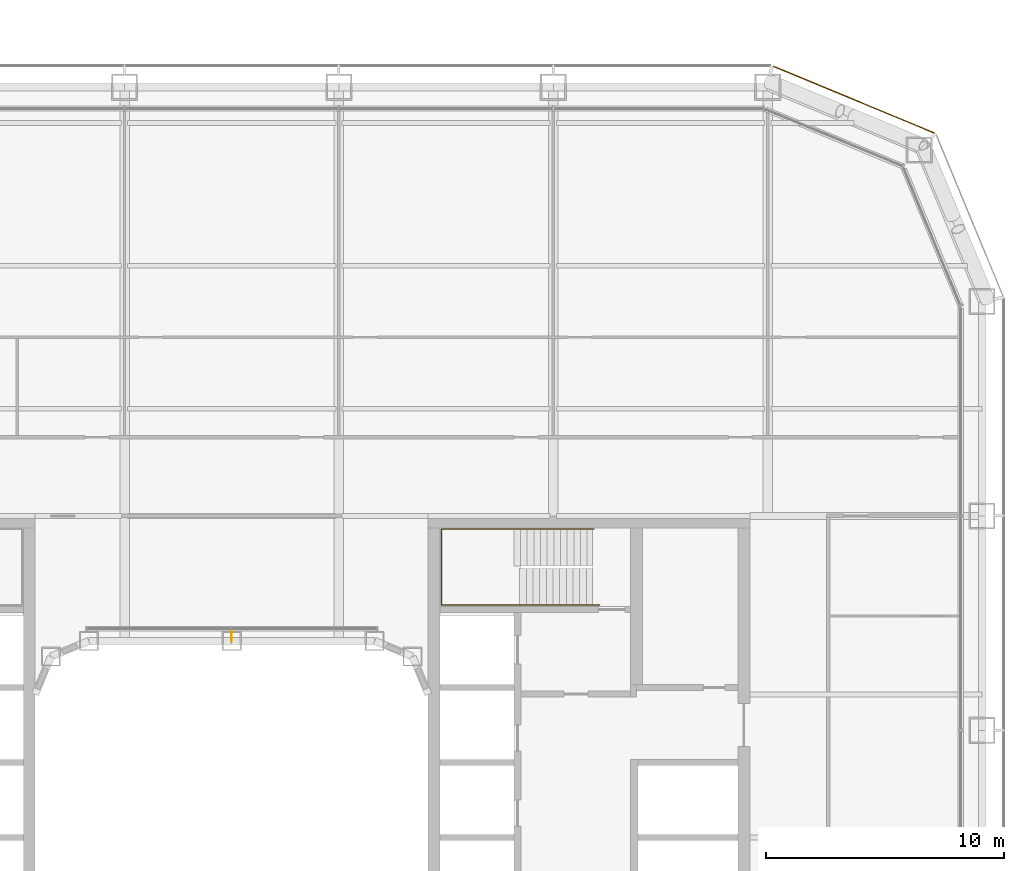
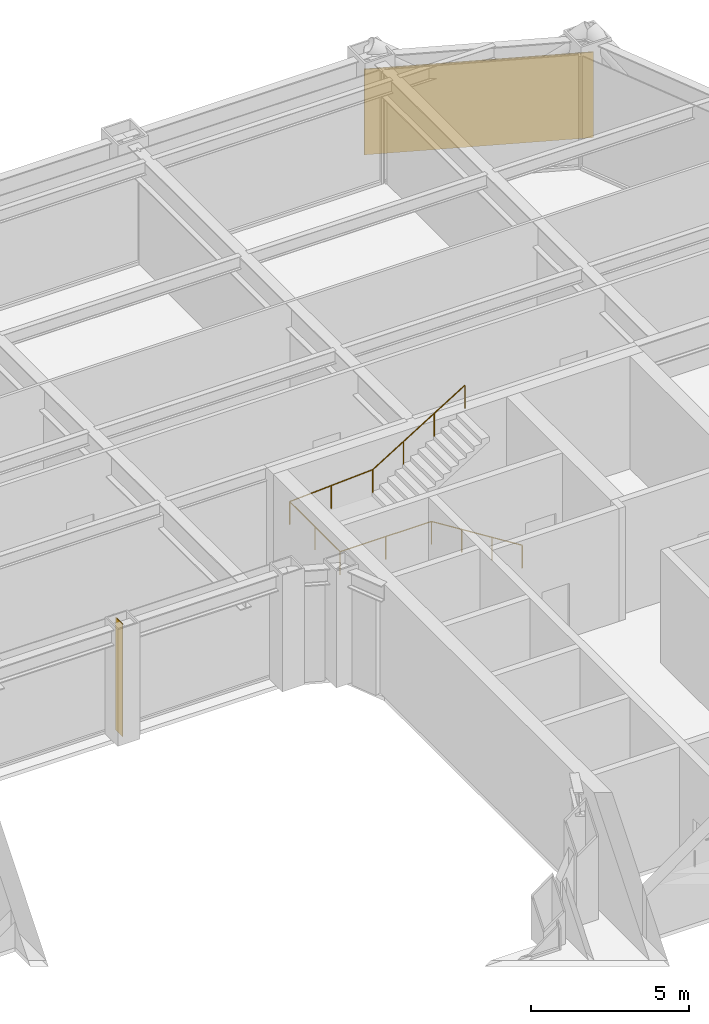
# One storey, part 27 of 29: 1 covering, 1 railing, 1 shading device.
"""IFC4 building model written with IfcOpenShell, lengths in metres."""

import ifcopenshell
import ifcopenshell.guid

model = None  # the IFC model being written
_history = None  # IfcOwnerHistory: only IFC2X3 demands one
_inside = {}  # id of a spatial element -> (the spatial element, [elements in it])
_under = {}  # id of a project, library or spatial element -> (it, [spatial elements below it])
_declared = {}  # id of a project -> (the project, [libraries it declares])
_typed = {}  # id of a type object -> (the type object, [elements of that type])
_made_of = {}  # id of a material, layer set ... -> (it, [elements and type objects made of it])


def new_model(schema):
    """Start an empty IFC model of exactly this schema.

    Asked for "IFC4X3", IfcOpenShell would pick the latest addendum, in which some entities
    have other attributes; the version numbers below select the first issue.
    IFC2X3 requires an IfcOwnerHistory on every rooted entity: one is made here for all.
    """
    global model, _history
    if schema == "IFC4X3":
        model = ifcopenshell.file(schema_version=(4, 3, 0, 0))
    else:
        model = ifcopenshell.file(schema=schema)
    _inside.clear()
    _under.clear()
    _declared.clear()
    _typed.clear()
    _made_of.clear()
    _history = None
    if model.schema == "IFC2X3":
        org = make("IfcOrganization", Name="unknown")
        user = make(
            "IfcPersonAndOrganization",
            ThePerson=make("IfcPerson", FamilyName="unknown"),
            TheOrganization=org,
        )
        app = make(
            "IfcApplication",
            ApplicationDeveloper=org,
            Version="unknown",
            ApplicationFullName="unknown",
            ApplicationIdentifier="unknown",
        )
        _history = make(
            "IfcOwnerHistory",
            OwningUser=user,
            OwningApplication=app,
            ChangeAction="ADDED",
            CreationDate=0,
        )
    return model


def make(cls, **values):
    """One entity of the class cls with the attributes given. An attribute that is None is left unset."""
    return model.create_entity(
        cls, **{name: value for name, value in values.items() if value is not None}
    )


def rooted(cls, **values):
    """An entity with a GlobalId (a new one), such as an element, a storey or a relation."""
    return make(cls, GlobalId=ifcopenshell.guid.new(), OwnerHistory=_history, **values)


def si_unit(unit_type, name, prefix=None):
    """IfcSIUnit, for example si_unit("LENGTHUNIT", "METRE", prefix="MILLI")."""
    return make("IfcSIUnit", UnitType=unit_type, Prefix=prefix, Name=name)


def assignment(units):
    """IfcUnitAssignment: the units of a project."""
    return None if units is None else make("IfcUnitAssignment", Units=units)


def point(xyz):
    """IfcCartesianPoint."""
    return None if xyz is None else make("IfcCartesianPoint", Coordinates=xyz)


def direction(xyz):
    """IfcDirection."""
    return None if xyz is None else make("IfcDirection", DirectionRatios=xyz)


def frame(location, z_axis=None, x_axis=None):
    """IfcAxis2Placement3D, a coordinate frame: its origin and axes. An axis left out is left unset."""
    return make(
        "IfcAxis2Placement3D",
        Location=point(location),
        Axis=direction(z_axis),
        RefDirection=direction(x_axis),
    )


def frame_2d(location, x_axis=None):
    """IfcAxis2Placement2D, a coordinate frame in the plane: its origin and x axis."""
    return make(
        "IfcAxis2Placement2D", Location=point(location), RefDirection=direction(x_axis)
    )


def origin():
    """The frame at (0, 0, 0) with its axes left unset."""
    return frame((0.0, 0.0, 0.0))


def origin_2d():
    """The frame at (0, 0) in the plane with its x axis left unset."""
    return frame_2d((0.0, 0.0))


def place(relative_to, where):
    """IfcLocalPlacement: puts the frame where relative to a parent placement (None: the world)."""
    return make(
        "IfcLocalPlacement", PlacementRelTo=relative_to, RelativePlacement=where
    )


def context(
    kind, dimensions, precision=None, world=None, true_north=None, identifier=None
):
    """IfcGeometricRepresentationContext, for example the 3D "Model" context."""
    return make(
        "IfcGeometricRepresentationContext",
        ContextIdentifier=identifier,
        ContextType=kind,
        CoordinateSpaceDimension=dimensions,
        Precision=precision,
        WorldCoordinateSystem=world,
        TrueNorth=true_north,
    )


def subcontext(parent, identifier, kind, view, scale=None):
    """IfcGeometricRepresentationSubContext, for example "Body" below "Model"."""
    return make(
        "IfcGeometricRepresentationSubContext",
        ContextIdentifier=identifier,
        ContextType=kind,
        ParentContext=parent,
        TargetScale=scale,
        TargetView=view,
    )


def project(units=None, contexts=None):
    """IfcProject with its units and contexts."""
    return rooted(
        "IfcProject",
        Name="project",
        RepresentationContexts=contexts,
        UnitsInContext=assignment(units),
    )


def spatial(cls, under=None, at=None, **own):
    """A site, building, storey or space (cls), placed at a placement, below another one or the project."""
    s = rooted(cls, ObjectPlacement=at, **own)
    if under is not None:
        _under.setdefault(under.id(), (under, []))[1].append(s)
    return s


def profile(cls, at=None, kind="AREA", **sizes):
    """A parametric profile (cls). Its sizes go by their IFC names, for example OverallWidth=200.0."""
    return make(cls, ProfileType=kind, Position=at, **sizes)


def rectangle(**sizes):
    """IfcRectangleProfileDef."""
    return profile("IfcRectangleProfileDef", **sizes)


def circle(**sizes):
    """IfcCircleProfileDef."""
    return profile("IfcCircleProfileDef", **sizes)


def extrude(swept, where, along, depth):
    """IfcExtrudedAreaSolid: the profile swept, set in the frame where, extruded along a direction by depth."""
    return make(
        "IfcExtrudedAreaSolid",
        SweptArea=swept,
        Position=where,
        ExtrudedDirection=direction(along),
        Depth=depth,
    )


def shape(context_of_items, identifier, shape_type, items):
    """IfcShapeRepresentation: the items that make up one representation, for example the "Body"."""
    return make(
        "IfcShapeRepresentation",
        ContextOfItems=context_of_items,
        RepresentationIdentifier=identifier,
        RepresentationType=shape_type,
        Items=items,
    )


def material(Name=None, Category=None):
    """IfcMaterial."""
    return make("IfcMaterial", Name=Name, Category=Category)


def layer(
    of_material, thickness, ventilated=None, Name=None, Category=None, Priority=None
):
    """IfcMaterialLayer: one layer of a wall or slab, of a material (None: an air gap)."""
    return make(
        "IfcMaterialLayer",
        Material=of_material,
        LayerThickness=thickness,
        IsVentilated=ventilated,
        Name=Name,
        Category=Category,
        Priority=Priority,
    )


def layer_set(layers, Name=None):
    """IfcMaterialLayerSet."""
    return make("IfcMaterialLayerSet", MaterialLayers=layers, LayerSetName=Name)


def made_of(thing, what):
    """Note that an element or type object is made of a material, layer set ...; save() writes the relation."""
    if what is not None:
        _made_of.setdefault(what.id(), (what, []))[1].append(thing)
    return thing


def type_object(cls, material=None, **own):
    """A type object (cls), such as IfcWallType, which elements share."""
    return made_of(rooted(cls, **own), material)


def element(
    cls,
    number,
    at=None,
    inside=None,
    cuts=None,
    type_object=None,
    material=None,
    context=None,
    identifier="Body",
    shape_type=None,
    held_by="IfcProductDefinitionShape",
    body=None,
    shapes=None,
    **own,
):
    """One element of the class cls, such as IfcWall. Its Tag is "e" and its number.

    at: its placement. inside: the storey or other place that contains it. cuts: it is an
    opening in that element (IfcRelVoidsElement). A single representation is given by context,
    identifier, shape_type and body (its items); several are given by shapes. held_by: the class
    of the entity that holds the representations. save() writes the other relations.
    """
    e = rooted(cls, Tag="e%d" % number, ObjectPlacement=at, **own)
    if body is not None:
        shapes = [shape(context, identifier, shape_type, body)]
    if shapes is not None:
        e.Representation = make(held_by, Representations=shapes)
    if inside is not None:
        _inside.setdefault(inside.id(), (inside, []))[1].append(e)
    if cuts is not None:
        rooted(
            "IfcRelVoidsElement", RelatingBuildingElement=cuts, RelatedOpeningElement=e
        )
    if type_object is not None:
        _typed.setdefault(type_object.id(), (type_object, []))[1].append(e)
    return made_of(e, material)


def aggregate(whole, parts):
    """IfcRelAggregates: a whole, such as a stair, and the parts it consists of."""
    return rooted("IfcRelAggregates", RelatingObject=whole, RelatedObjects=parts)


def save(model, path):
    """Write the relations noted so far, then the file.

    IfcRelAggregates (storeys below a building ...), IfcRelContainedInSpatialStructure (elements
    in a storey), IfcRelDefinesByType, IfcRelAssociatesMaterial and IfcRelDeclares: one each for
    every whole, place, type object, material and project.
    """
    for whole, parts in _under.values():
        aggregate(whole, parts)
    for where, things in _inside.values():
        rooted(
            "IfcRelContainedInSpatialStructure",
            RelatedElements=things,
            RelatingStructure=where,
        )
    for kind, things in _typed.values():
        rooted("IfcRelDefinesByType", RelatedObjects=things, RelatingType=kind)
    for what, things in _made_of.values():
        rooted("IfcRelAssociatesMaterial", RelatedObjects=things, RelatingMaterial=what)
    for by, libraries in _declared.values():
        rooted("IfcRelDeclares", RelatingContext=by, RelatedDefinitions=libraries)
    model.write(path)


model = new_model("IFC4")

# Units and contexts
model_context = context("Model", 3, precision=1e-05, world=origin(), true_north=direction((0.0, 1.0)))
body_context = subcontext(model_context, "Body", "Model", "MODEL_VIEW")
ifc_project = project(units=[si_unit("LENGTHUNIT", "METRE"), si_unit("AREAUNIT", "SQUARE_METRE"), si_unit("VOLUMEUNIT", "CUBIC_METRE"), si_unit("PLANEANGLEUNIT", "RADIAN"), si_unit("MASSUNIT", "GRAM", prefix="KILO")], contexts=[model_context])

# Site, building, storey
site_placement = place(None, origin())
site = spatial("IfcSite", under=ifc_project, at=site_placement, CompositionType="ELEMENT")
building_placement = place(site_placement, origin())
building = spatial("IfcBuilding", under=site, at=building_placement, Name="Siwar Civic Tower", CompositionType="ELEMENT")
storey_placement = place(building_placement, frame((0.0, 0.0, 49.199951171875)))
storey = spatial("IfcBuildingStorey", under=building, at=storey_placement, Name="L10", CompositionType="ELEMENT", Elevation=49.199951171875)

# Railing
ifc_material_1 = material(Name="Stainless steel", Category="steel")
railing_type = type_object("IfcRailingType", Name="CORE-STAIR-HANDRAIL", PredefinedType="HANDRAIL", material=ifc_material_1)
railing_placement = place(storey_placement, frame((15.449951171875, 9.758056640625, 0.173095703125)))
element("IfcRailing", 1, at=railing_placement, inside=storey, type_object=railing_type, Name="Stair handrail ST3", PredefinedType="HANDRAIL", context=body_context, shape_type="SweptSolid", body=[
    extrude(circle(Radius=0.02001953125, at=origin_2d()), frame((0.0, 0.0, 0.8798828125), z_axis=(-0.847063342986, 0.0, 0.531491950051), x_axis=(0.0, -1.0, 0.0)), (0.0, 0.0, 1.0), 3.90771484375),
    extrude(circle(Radius=0.02001953125, at=origin_2d()), frame((-3.31005859375, 0.0, 2.956787109375), z_axis=(-1.0, 0.0, 0.0), x_axis=(0.0, -1.0, 0.0)), (0.0, 0.0, 1.0), 3.331787109375),
    extrude(circle(Radius=0.02001953125, at=origin_2d()), frame((-6.641845703125, 0.0, 2.956787109375), z_axis=(0.0, 1.0, 0.0), x_axis=(-1.0, 0.0, 0.0)), (0.0, 0.0, 1.0), 3.183837890625),
    extrude(circle(Radius=0.02001953125, at=origin_2d()), frame((-6.641845703125, 3.183837890625, 2.956787109375), z_axis=(0.99837434197, 0.0, 0.056997134106), x_axis=(0.0, 1.0, 0.0)), (0.0, 0.0, 1.0), 3.036865234375),
    extrude(circle(Radius=0.02001953125, at=origin_2d()), frame((-3.60986328125, 3.183837890625, 3.1298828125), z_axis=(0.850606129759, 0.0, 0.525803396734), x_axis=(0.0, 1.0, 0.0)), (0.0, 0.0, 1.0), 3.949951171875),
    extrude(circle(Radius=0.02001953125, at=origin_2d()), origin(), (0.0, 0.0, 1.0), 0.85986328125),
    extrude(circle(Radius=0.02001953125, at=origin_2d()), frame((-1.103271484375, 0.0, 0.6923828125)), (0.0, 0.0, 1.0), 0.85986328125),
    extrude(circle(Radius=0.02001953125, at=origin_2d()), frame((-2.206787109375, 0.0, 1.384521484375)), (0.0, 0.0, 1.0), 0.85986328125),
    extrude(circle(Radius=0.02001953125, at=origin_2d()), frame((-3.31005859375, 0.0, 2.076904296875)), (0.0, 0.0, 1.0), 0.85986328125),
    extrude(circle(Radius=0.02001953125, at=origin_2d()), frame((-4.97607421875, 0.0, 2.076904296875)), (0.0, 0.0, 1.0), 0.85986328125),
    extrude(circle(Radius=0.02001953125, at=origin_2d()), frame((-6.641845703125, 0.0, 2.076904296875)), (0.0, 0.0, 1.0), 0.85986328125),
    extrude(circle(Radius=0.02001953125, at=origin_2d()), frame((-6.641845703125, 1.591796875, 2.076904296875)), (0.0, 0.0, 1.0), 0.85986328125),
    extrude(circle(Radius=0.02001953125, at=origin_2d()), frame((-6.641845703125, 3.183837890625, 2.076904296875)), (0.0, 0.0, 1.0), 0.85986328125),
    extrude(circle(Radius=0.02001953125, at=origin_2d()), frame((-5.1259765625, 3.183837890625, 2.16357421875)), (0.0, 0.0, 1.0), 0.85986328125),
    extrude(circle(Radius=0.02001953125, at=origin_2d()), frame((-3.60986328125, 3.183837890625, 2.25)), (0.0, 0.0, 1.0), 0.85986328125),
    extrude(circle(Radius=0.02001953125, at=origin_2d()), frame((-2.489990234375, 3.183837890625, 2.9423828125)), (0.0, 0.0, 1.0), 0.85986328125),
    extrude(circle(Radius=0.02001953125, at=origin_2d()), frame((-1.369873046875, 3.183837890625, 3.634521484375)), (0.0, 0.0, 1.0), 0.85986328125),
    extrude(circle(Radius=0.02001953125, at=origin_2d()), frame((-0.25, 3.183837890625, 4.326904296875)), (0.0, 0.0, 1.0), 0.85986328125),
])

# Shading device
ifc_material_2 = material(Name="Aluminium 6063-T6", Category="aluminium")
ifc_layer_1 = layer(ifc_material_2, 0.02001953125)
ifc_layer_set_1 = layer_set([ifc_layer_1], Name="Aluminium 6063-T6")
shading_device_type = type_object("IfcShadingDeviceType", Name="ENV-FIN", PredefinedType="JALOUSIE", material=ifc_layer_set_1)
shading_device_placement = place(storey_placement, frame((0.0, 8.445068359375, 0.0), z_axis=(0.0, 0.0, 1.0), x_axis=(-1.0, 0.0, 0.0)))
element("IfcShadingDevice", 2, at=shading_device_placement, inside=storey, type_object=shading_device_type, Name="SUNSHADE fin WN 1", PredefinedType="JALOUSIE", context=body_context, shape_type="SweptSolid", body=[
    extrude(rectangle(XDim=0.02001953125, YDim=0.449951171875, at=origin_2d()), origin(), (0.0, 0.0, 1.0), 4.35009765625),
])

# Covering
ifc_material_3 = material(Name="Perforated aluminium cassette, pale metal", Category="aluminium")
ifc_layer_2 = layer(ifc_material_3, 0.0400390625)
ifc_layer_set_2 = layer_set([ifc_layer_2], Name="Perforated aluminium cassette, pale metal")
covering_type = type_object("IfcCoveringType", Name="ENV-OUTER SKIN OS-1", PredefinedType="CLADDING", material=ifc_layer_set_2)
covering_placement = place(storey_placement, frame((26.115966796875, 30.976318359375, -0.14990234375), z_axis=(0.0, 0.0, 1.0), x_axis=(-0.923879532511, 0.382683432365, 0.0)))
element("IfcCovering", 3, at=covering_placement, inside=storey, type_object=covering_type, Name="OUTER SKIN OS-1 NE2 1", PredefinedType="CLADDING", context=body_context, shape_type="SweptSolid", body=[
    extrude(rectangle(XDim=7.300048828125, YDim=0.0400390625, at=origin_2d()), origin(), (0.0, 0.0, 1.0), 3.300048828125),
])

save(model, "model.ifc")
